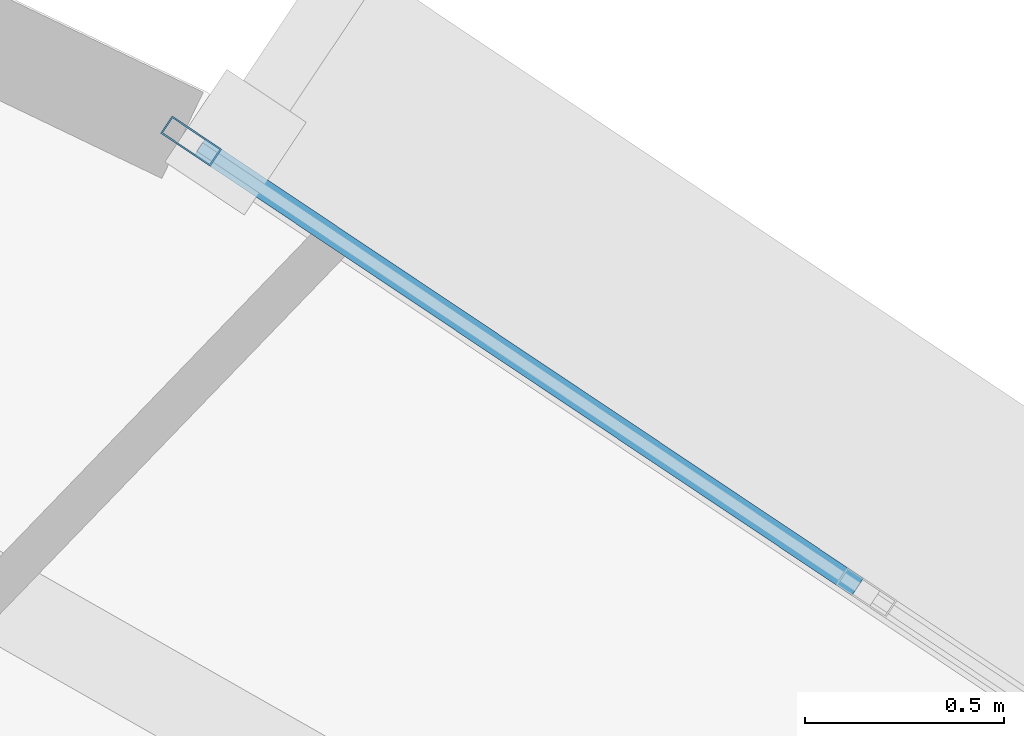
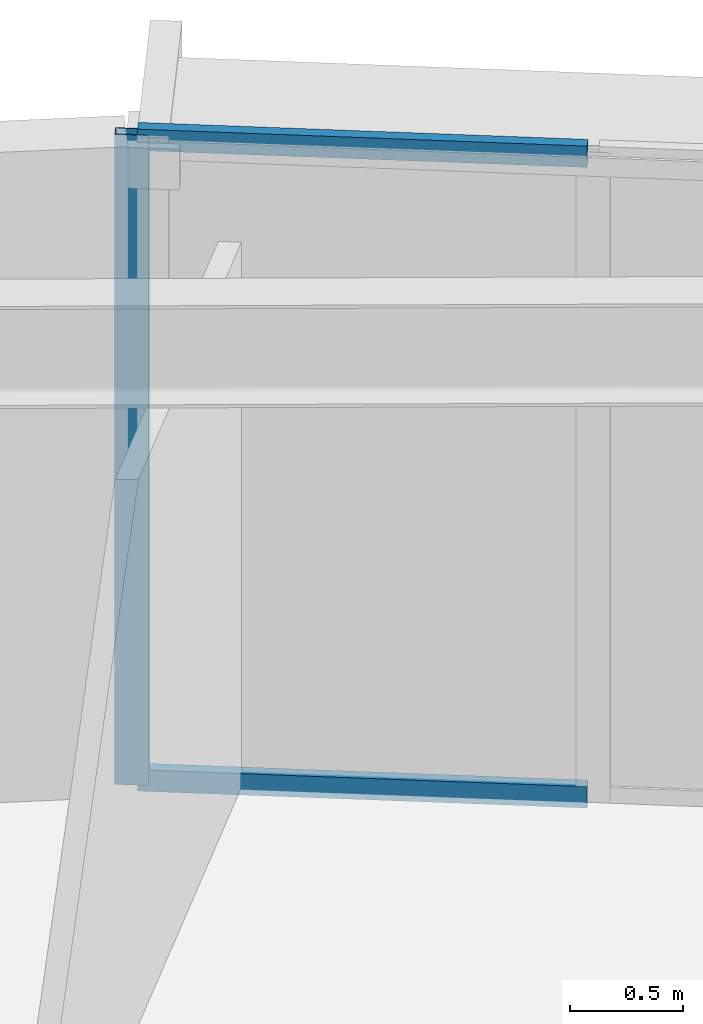
# One storey, part 6 of 22: 3 members, 1 element without a shape of its own.
"""IFC4 building model written with IfcOpenShell, lengths in metres."""

from ifc_helpers import new_model, si_unit, direction, frame, origin, origin_2d, place, context, subcontext, project, spatial, hollow_rectangle, extrude, source, transform, mapped, material, layer, layer_set, material_profile, profile_set, type_object, element, aggregate, save


model = new_model("IFC4")

# Units and contexts
model_context = context("Model", 3, precision=1e-05, world=origin(), true_north=direction((0.0, 1.0)))
body_context = subcontext(model_context, "Body", "Model", "MODEL_VIEW")
ifc_project = project(units=[si_unit("LENGTHUNIT", "METRE"), si_unit("AREAUNIT", "SQUARE_METRE"), si_unit("VOLUMEUNIT", "CUBIC_METRE"), si_unit("PLANEANGLEUNIT", "RADIAN"), si_unit("MASSUNIT", "GRAM", prefix="KILO")], contexts=[model_context])

# Site, building, storey
site_placement = place(None, origin())
site = spatial("IfcSite", under=ifc_project, at=site_placement, CompositionType="ELEMENT")
building_placement = place(site_placement, origin())
building = spatial("IfcBuilding", under=site, at=building_placement, Name="Linh Dai School and Residence Tower", CompositionType="ELEMENT")
storey_placement = place(building_placement, frame((0.0, 0.0, 130.949951171875)))
storey = spatial("IfcBuildingStorey", under=building, at=storey_placement, Name="L31", CompositionType="ELEMENT", Elevation=130.949951171875)

# Curtain wall, members
ifc_material_1 = material(Name="Aluminium Anodised Curtain Wall", Category="aluminium")
ifc_layer = layer(ifc_material_1, 0.14990234375)
ifc_layer_set = layer_set([ifc_layer], Name="Aluminium Anodised Curtain Wall")
curtain_wall_type = type_object("IfcCurtainWallType", Name="CW-SYS-4", PredefinedType="USERDEFINED", material=ifc_layer_set)
curtain_wall_placement = place(storey_placement, origin())
curtain_wall = element("IfcCurtainWall", 1, at=curtain_wall_placement, inside=storey, type_object=curtain_wall_type, Name="L31 CW4 Curtain Wall 06", ObjectType="RIBBON CURTAIN WALL", PredefinedType="USERDEFINED")
ifc_material_2 = material(Name="Aluminium Alloy 6063-T6", Category="aluminium")
ifc_material_profile_1 = material_profile(ifc_material_2, hollow_rectangle(XDim=0.052001953125, YDim=0.14990234375, WallThickness=0.00390625, at=origin_2d()), Name="RHS 150x52x4")
ifc_profile_set_1 = profile_set([ifc_material_profile_1], Name="Aluminium Alloy 6063-T6")
member_type_1 = type_object("IfcMemberType", Name="CW-SYS-4-MUL", PredefinedType="MULLION", material=ifc_profile_set_1)
shared_shape_1 = source(origin(), body_context, "Body", "SweptSolid", [
    extrude(hollow_rectangle(XDim=0.052001953125, YDim=0.14990234375, WallThickness=0.00390625, at=origin_2d()), origin(), (0.0, 0.0, 1.0), 3.5),
])
member_1_placement = place(storey_placement, frame((52.94677734375, 45.18505859375, 0.0), z_axis=(0.0, 0.0, 1.0), x_axis=(0.555913198527, 0.831240347736, 0.0)))
member_1 = element("IfcMember", 2, at=member_1_placement, type_object=member_type_1, Name="CW4 mullion 1", PredefinedType="MULLION", context=body_context, shape_type="MappedRepresentation", body=[
    mapped(shared_shape_1, transform((0.0, 0.0, 0.0), x_axis=(1.0, 0.0, 0.0), y_axis=(0.0, 1.0, 0.0), z_axis=(0.0, 0.0, 1.0), scale=1.0)),
])
ifc_material_profile_2 = material_profile(ifc_material_2, hollow_rectangle(XDim=0.052001953125, YDim=0.114990234375, WallThickness=0.00390625, at=origin_2d()), Name="RHS 115x52x4")
ifc_profile_set_2 = profile_set([ifc_material_profile_2], Name="Aluminium Alloy 6063-T6")
member_type_2 = type_object("IfcMemberType", Name="CW-SYS-4-TRN", PredefinedType="USERDEFINED", material=ifc_profile_set_2)
shared_shape_2 = source(origin(), body_context, "Body", "SweptSolid", [
    extrude(hollow_rectangle(XDim=0.052001953125, YDim=0.114990234375, WallThickness=0.00390625, at=origin_2d()), origin(), (0.0, 0.0, 1.0), 1.98681640625),
])
member_2_placement = place(storey_placement, frame((52.968505859375, 45.17041015625, 0.026123046875), z_axis=(0.831255474642, -0.555890579051, 0.0), x_axis=(0.555890579051, 0.831255474642, 0.0)))
member_2 = element("IfcMember", 3, at=member_2_placement, type_object=member_type_2, Name="CW4 transom 1.1", ObjectType="TRANSOM", PredefinedType="USERDEFINED", context=body_context, shape_type="MappedRepresentation", body=[
    mapped(shared_shape_2, transform((0.0, 0.0, 0.0), x_axis=(1.0, 0.0, 0.0), y_axis=(0.0, 1.0, 0.0), z_axis=(0.0, 0.0, 1.0), scale=1.0)),
])
member_3_placement = place(storey_placement, frame((52.968505859375, 45.17041015625, 3.47412109375), z_axis=(0.831255474642, -0.555890579051, 0.0), x_axis=(0.555890579051, 0.831255474642, 0.0)))
member_3 = element("IfcMember", 4, at=member_3_placement, type_object=member_type_2, Name="CW4 transom 1.2", ObjectType="TRANSOM", PredefinedType="USERDEFINED", context=body_context, shape_type="MappedRepresentation", body=[
    mapped(shared_shape_2, transform((0.0, 0.0, 0.0), x_axis=(1.0, 0.0, 0.0), y_axis=(0.0, 1.0, 0.0), z_axis=(0.0, 0.0, 1.0), scale=1.0)),
])
aggregate(curtain_wall, [member_1, member_2, member_3])

save(model, "model.ifc")
